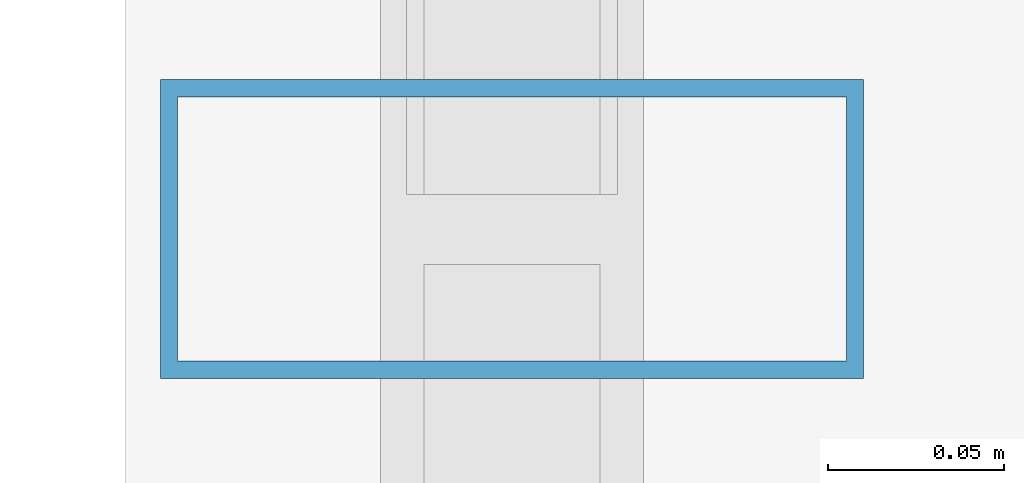
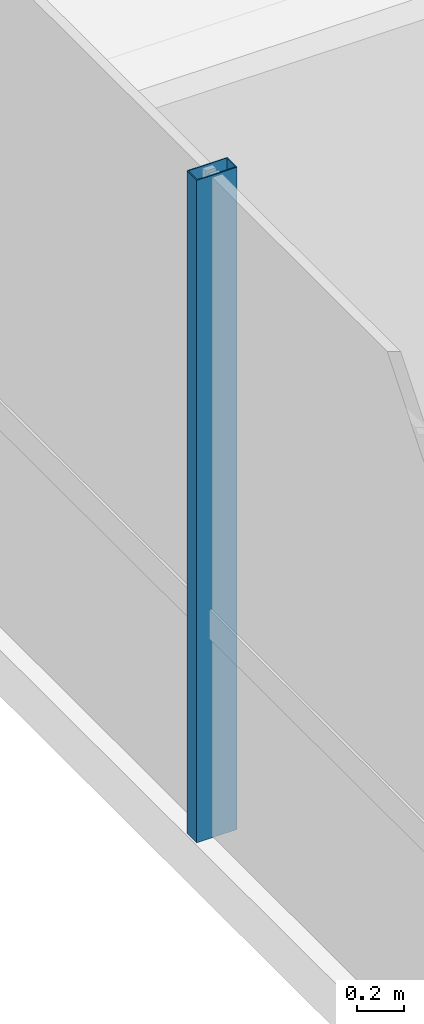
# One storey, part 8 of 40: 1 member, 1 element without a shape of its own.
"""IFC4 building model written with IfcOpenShell, lengths in metres."""

from ifc_helpers import new_model, si_unit, direction, frame, origin, origin_2d, place, context, subcontext, project, spatial, hollow_rectangle, extrude, source, transform, mapped, material, material_profile, profile_set, type_object, element, aggregate, save


model = new_model("IFC4")

# Units and contexts
model_context = context("Model", 3, precision=1e-05, world=origin(), true_north=direction((0.0, 1.0)))
body_context = subcontext(model_context, "Body", "Model", "MODEL_VIEW")
ifc_project = project(units=[si_unit("LENGTHUNIT", "METRE"), si_unit("AREAUNIT", "SQUARE_METRE"), si_unit("VOLUMEUNIT", "CUBIC_METRE"), si_unit("PLANEANGLEUNIT", "RADIAN"), si_unit("MASSUNIT", "GRAM", prefix="KILO")], contexts=[model_context])

# Site, building, storey
site_placement = place(None, origin())
site = spatial("IfcSite", under=ifc_project, at=site_placement, CompositionType="ELEMENT")
building_placement = place(site_placement, origin())
building = spatial("IfcBuilding", under=site, at=building_placement, Name="Valdorenza Pilgrim Sanctuary Tower", CompositionType="ELEMENT")
storey_placement = place(building_placement, frame((0.0, 0.0, 51.89990234375)))
storey = spatial("IfcBuildingStorey", under=building, at=storey_placement, Name="L12", CompositionType="ELEMENT", Elevation=51.89990234375)

# Curtain wall, member
ifc_material_1 = material(Name="Curtain-wall IGU glazing", Category="glass")
curtain_wall_type = type_object("IfcCurtainWallType", Name="CW-SYS-02", PredefinedType="NOTDEFINED", material=ifc_material_1)
curtain_wall_placement = place(storey_placement, origin())
curtain_wall = element("IfcCurtainWall", 1, at=curtain_wall_placement, inside=storey, type_object=curtain_wall_type, Name="L12 Curtain Wall CW-L12-1-1S1", PredefinedType="NOTDEFINED")
ifc_material_2 = material(Name="Anodised aluminium AW-6060", Category="aluminium")
ifc_material_profile = material_profile(ifc_material_2, hollow_rectangle(XDim=0.0849609375, YDim=0.199951171875, WallThickness=0.0048828125, at=origin_2d()), Name="ALU-M 200x85x5")
ifc_profile_set = profile_set([ifc_material_profile], Name="Anodised aluminium AW-6060")
member_type = type_object("IfcMemberType", Name="CW-MUL-02", PredefinedType="MULLION", material=ifc_profile_set)
shared_shape = source(origin(), body_context, "Body", "SweptSolid", [
    extrude(hollow_rectangle(XDim=0.0849609375, YDim=0.199951171875, WallThickness=0.0048828125, at=origin_2d()), origin(), (0.0, 0.0, 1.0), 3.460205078125),
])
member_placement = place(storey_placement, frame((-31.889892578125, -2.594482421875, 0.0), z_axis=(0.0, 0.0, 1.0), x_axis=(0.0, 1.0, 0.0)))
member = element("IfcMember", 2, at=member_placement, type_object=member_type, Name="CW-L12-1-1S1 Mullion 3", PredefinedType="MULLION", context=body_context, shape_type="MappedRepresentation", body=[
    mapped(shared_shape, transform((0.0, 0.0, 0.0), x_axis=(1.0, 0.0, 0.0), y_axis=(0.0, 1.0, 0.0), z_axis=(0.0, 0.0, 1.0), scale=1.0)),
])
aggregate(curtain_wall, [member])

save(model, "model.ifc")
